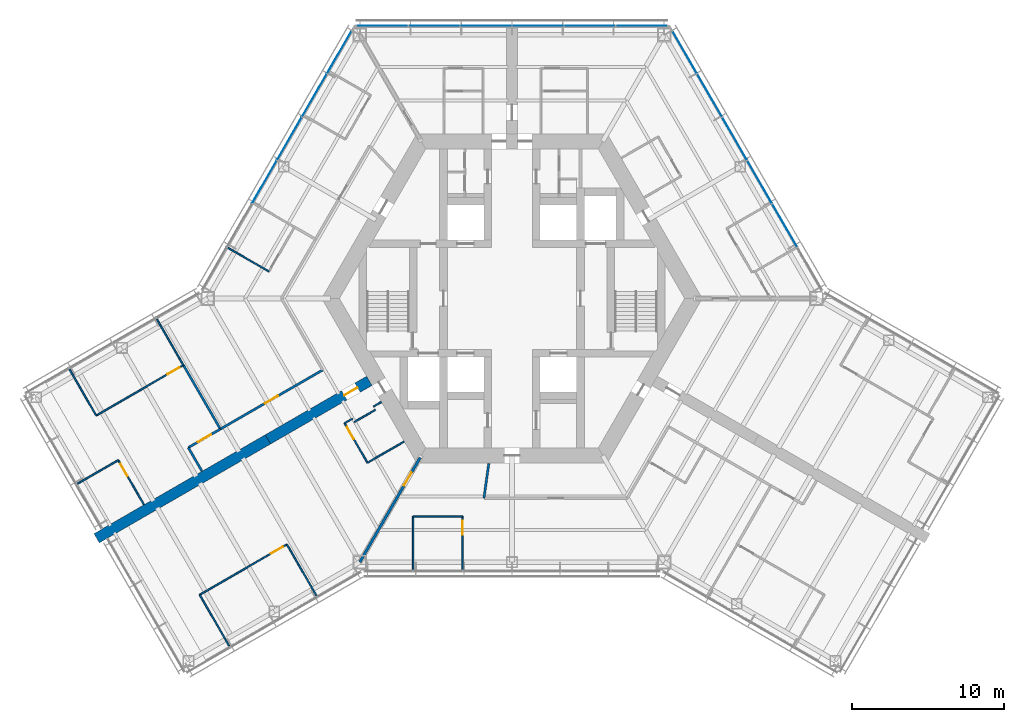
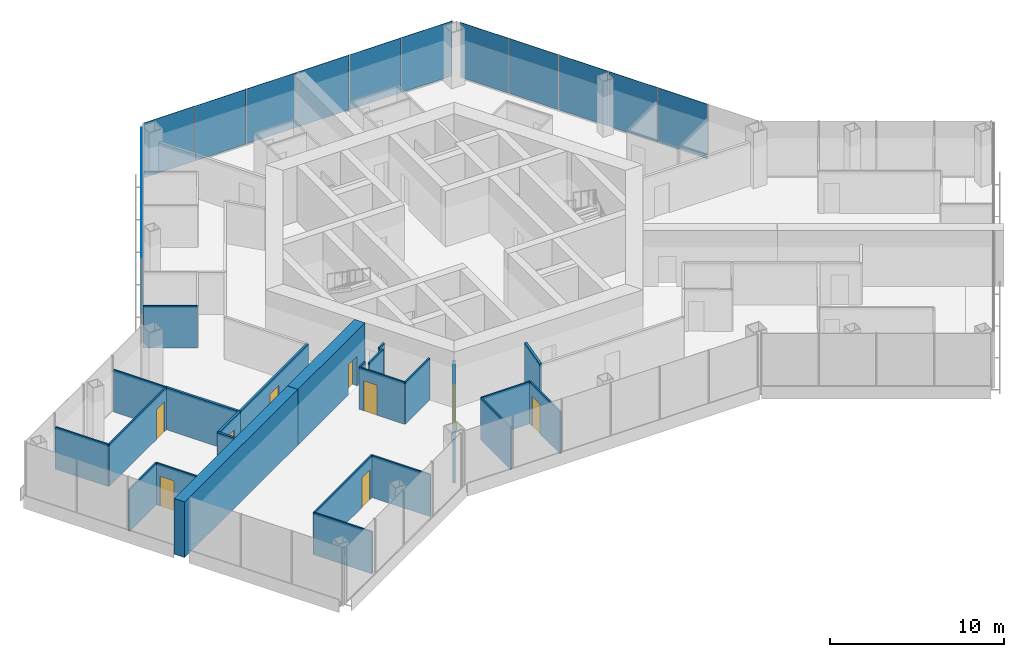
# One storey, part 11 of 18: 25 walls, 15 plates, 9 doors, 9 openings, 3 elements without a shape of their own.
"""IFC4 building model written with IfcOpenShell, lengths in metres."""

from ifc_helpers import new_model, si_unit, direction, frame, frame_2d, origin, origin_2d, place, context, subcontext, project, spatial, rectangle, extrude, material, layer, layer_set, type_object, element, fill, aggregate, save


model = new_model("IFC4")

# Units and contexts
model_context = context("Model", 3, precision=1e-05, world=origin(), true_north=direction((0.0, 1.0)))
body_context = subcontext(model_context, "Body", "Model", "MODEL_VIEW")
ifc_project = project(units=[si_unit("LENGTHUNIT", "METRE"), si_unit("AREAUNIT", "SQUARE_METRE"), si_unit("VOLUMEUNIT", "CUBIC_METRE"), si_unit("PLANEANGLEUNIT", "RADIAN"), si_unit("MASSUNIT", "GRAM", prefix="KILO")], contexts=[model_context])

# Site, building, storey
site_placement = place(None, origin())
site = spatial("IfcSite", under=ifc_project, at=site_placement, CompositionType="ELEMENT")
building_placement = place(site_placement, origin())
building = spatial("IfcBuilding", under=site, at=building_placement, Name="Kasaneha Research Tower", CompositionType="ELEMENT")
storey_placement = place(building_placement, frame((0.0, 0.0, 133.10009765625)))
storey = spatial("IfcBuildingStorey", under=building, at=storey_placement, Name="L33", CompositionType="ELEMENT", Elevation=133.10009765625)

# Curtain wall, plates
ifc_material_1 = material(Name="Glass and aluminium", Category="aluminium")
curtain_wall_type = type_object("IfcCurtainWallType", Name="Mid-rise office curtain wall", PredefinedType="USERDEFINED", material=ifc_material_1)
curtain_wall_1_placement = place(storey_placement, origin())
curtain_wall_1 = element("IfcCurtainWall", 1, at=curtain_wall_1_placement, inside=storey, type_object=curtain_wall_type, Name="CW-O2 L33 run 06a", ObjectType="UNITISED CURTAIN WALL", PredefinedType="USERDEFINED")
ifc_material_2 = material(Name="Laminated double glazing", Category="glass")
ifc_layer_1 = layer(ifc_material_2, 0.02587890625)
ifc_layer_set_1 = layer_set([ifc_layer_1], Name="CW-O2 glazed panel")
plate_type = type_object("IfcPlateType", Name="CW-O2 glazed panel", PredefinedType="CURTAIN_PANEL", material=ifc_layer_set_1)
plate_1_placement = place(storey_placement, frame((17.923095703125, 4.797119140625, 0.06005859375), z_axis=(0.0, 0.0, 1.0), x_axis=(-0.499999979232, 0.866025415775, 0.0)))
plate_1 = element("IfcPlate", 2, at=plate_1_placement, type_object=plate_type, Name="CW-O2 panel 2", PredefinedType="CURTAIN_PANEL", context=body_context, shape_type="SweptSolid", body=[
    extrude(rectangle(XDim=3.22802734375, YDim=0.02587890625, at=origin_2d()), origin(), (0.0, 0.0, 1.0), 3.840087890625),
])
plate_2_placement = place(storey_placement, frame((16.279052734375, 7.644775390625, 0.06005859375), z_axis=(0.0, 0.0, 1.0), x_axis=(-0.499999979232, 0.866025415775, 0.0)))
plate_2 = element("IfcPlate", 3, at=plate_2_placement, type_object=plate_type, Name="CW-O2 panel 3", PredefinedType="CURTAIN_PANEL", context=body_context, shape_type="SweptSolid", body=[
    extrude(rectangle(XDim=3.22802734375, YDim=0.02587890625, at=origin_2d()), origin(), (0.0, 0.0, 1.0), 3.840087890625),
])
plate_3_placement = place(storey_placement, frame((14.635009765625, 10.492431640625, 0.06005859375), z_axis=(0.0, 0.0, 1.0), x_axis=(-0.499999979232, 0.866025415775, 0.0)))
plate_3 = element("IfcPlate", 4, at=plate_3_placement, type_object=plate_type, Name="CW-O2 panel 4", PredefinedType="CURTAIN_PANEL", context=body_context, shape_type="SweptSolid", body=[
    extrude(rectangle(XDim=3.22802734375, YDim=0.02587890625, at=origin_2d()), origin(), (0.0, 0.0, 1.0), 3.840087890625),
])
plate_4_placement = place(storey_placement, frame((12.990966796875, 13.33984375, 0.06005859375), z_axis=(0.0, 0.0, 1.0), x_axis=(-0.499999979232, 0.866025415775, 0.0)))
plate_4 = element("IfcPlate", 5, at=plate_4_placement, type_object=plate_type, Name="CW-O2 panel 5", PredefinedType="CURTAIN_PANEL", context=body_context, shape_type="SweptSolid", body=[
    extrude(rectangle(XDim=3.22802734375, YDim=0.02587890625, at=origin_2d()), origin(), (0.0, 0.0, 1.0), 3.840087890625),
])
plate_5_placement = place(storey_placement, frame((11.3544921875, 16.174560546875, 0.06005859375), z_axis=(0.0, 0.0, 1.0), x_axis=(-0.499999979232, 0.866025415775, 0.0)))
plate_5 = element("IfcPlate", 6, at=plate_5_placement, type_object=plate_type, Name="CW-O2 panel 6", PredefinedType="CURTAIN_PANEL", context=body_context, shape_type="SweptSolid", body=[
    extrude(rectangle(XDim=3.197998046875, YDim=0.02587890625, at=origin_2d()), origin(), (0.0, 0.0, 1.0), 3.840087890625),
])
aggregate(curtain_wall_1, [plate_1, plate_2, plate_3, plate_4, plate_5])

curtain_wall_2_placement = place(storey_placement, origin())
curtain_wall_2 = element("IfcCurtainWall", 7, at=curtain_wall_2_placement, inside=storey, type_object=curtain_wall_type, Name="CW-O2 L33 run 07a", ObjectType="UNITISED CURTAIN WALL", PredefinedType="USERDEFINED")
plate_6_placement = place(storey_placement, frame((8.523681640625, 17.92041015625, 0.06005859375), z_axis=(0.0, 0.0, 1.0), x_axis=(-1.0, 0.0, 0.0)))
plate_6 = element("IfcPlate", 8, at=plate_6_placement, type_object=plate_type, Name="CW-O2 panel 1", PredefinedType="CURTAIN_PANEL", context=body_context, shape_type="SweptSolid", body=[
    extrude(rectangle(XDim=3.325439453125, YDim=0.02587890625, at=origin_2d()), origin(), (0.0, 0.0, 1.0), 3.840087890625),
])
plate_7_placement = place(storey_placement, frame((5.123291015625, 17.92041015625, 0.06005859375), z_axis=(0.0, 0.0, 1.0), x_axis=(-1.0, 0.0, 0.0)))
plate_7 = element("IfcPlate", 9, at=plate_7_placement, type_object=plate_type, Name="CW-O2 panel 2", PredefinedType="CURTAIN_PANEL", context=body_context, shape_type="SweptSolid", body=[
    extrude(rectangle(XDim=3.35546875, YDim=0.02587890625, at=origin_2d()), origin(), (0.0, 0.0, 1.0), 3.840087890625),
])
plate_8_placement = place(storey_placement, frame((1.707763671875, 17.92041015625, 0.06005859375), z_axis=(0.0, 0.0, 1.0), x_axis=(-1.0, 0.0, 0.0)))
plate_8 = element("IfcPlate", 10, at=plate_8_placement, type_object=plate_type, Name="CW-O2 panel 3", PredefinedType="CURTAIN_PANEL", context=body_context, shape_type="SweptSolid", body=[
    extrude(rectangle(XDim=3.35546875, YDim=0.02587890625, at=origin_2d()), origin(), (0.0, 0.0, 1.0), 3.840087890625),
])
plate_9_placement = place(storey_placement, frame((-1.707763671875, 17.92041015625, 0.06005859375), z_axis=(0.0, 0.0, 1.0), x_axis=(-1.0, 0.0, 0.0)))
plate_9 = element("IfcPlate", 11, at=plate_9_placement, type_object=plate_type, Name="CW-O2 panel 4", PredefinedType="CURTAIN_PANEL", context=body_context, shape_type="SweptSolid", body=[
    extrude(rectangle(XDim=3.35546875, YDim=0.02587890625, at=origin_2d()), origin(), (0.0, 0.0, 1.0), 3.840087890625),
])
plate_10_placement = place(storey_placement, frame((-5.123291015625, 17.92041015625, 0.06005859375), z_axis=(0.0, 0.0, 1.0), x_axis=(-1.0, 0.0, 0.0)))
plate_10 = element("IfcPlate", 12, at=plate_10_placement, type_object=plate_type, Name="CW-O2 panel 5", PredefinedType="CURTAIN_PANEL", context=body_context, shape_type="SweptSolid", body=[
    extrude(rectangle(XDim=3.35546875, YDim=0.02587890625, at=origin_2d()), origin(), (0.0, 0.0, 1.0), 3.840087890625),
])
plate_11_placement = place(storey_placement, frame((-8.523681640625, 17.92041015625, 0.06005859375), z_axis=(0.0, 0.0, 1.0), x_axis=(-1.0, 0.0, 0.0)))
plate_11 = element("IfcPlate", 13, at=plate_11_placement, type_object=plate_type, Name="CW-O2 panel 6", PredefinedType="CURTAIN_PANEL", context=body_context, shape_type="SweptSolid", body=[
    extrude(rectangle(XDim=3.325439453125, YDim=0.02587890625, at=origin_2d()), origin(), (0.0, 0.0, 1.0), 3.840087890625),
])
aggregate(curtain_wall_2, [plate_6, plate_7, plate_8, plate_9, plate_10, plate_11])

curtain_wall_3_placement = place(storey_placement, origin())
curtain_wall_3 = element("IfcCurtainWall", 14, at=curtain_wall_3_placement, inside=storey, type_object=curtain_wall_type, Name="CW-O2 L33 run 08a", ObjectType="UNITISED CURTAIN WALL", PredefinedType="USERDEFINED")
plate_12_placement = place(storey_placement, frame((-11.3544921875, 16.174560546875, 0.06005859375), z_axis=(0.0, 0.0, 1.0), x_axis=(-0.499999979232, -0.866025415775, 0.0)))
plate_12 = element("IfcPlate", 15, at=plate_12_placement, type_object=plate_type, Name="CW-O2 panel 1", PredefinedType="CURTAIN_PANEL", context=body_context, shape_type="SweptSolid", body=[
    extrude(rectangle(XDim=3.197998046875, YDim=0.02587890625, at=origin_2d()), origin(), (0.0, 0.0, 1.0), 3.840087890625),
])
plate_13_placement = place(storey_placement, frame((-12.990966796875, 13.33984375, 0.06005859375), z_axis=(0.0, 0.0, 1.0), x_axis=(-0.499999979232, -0.866025415775, 0.0)))
plate_13 = element("IfcPlate", 16, at=plate_13_placement, type_object=plate_type, Name="CW-O2 panel 2", PredefinedType="CURTAIN_PANEL", context=body_context, shape_type="SweptSolid", body=[
    extrude(rectangle(XDim=3.22802734375, YDim=0.02587890625, at=origin_2d()), origin(), (0.0, 0.0, 1.0), 3.840087890625),
])
plate_14_placement = place(storey_placement, frame((-14.635009765625, 10.492431640625, 0.06005859375), z_axis=(0.0, 0.0, 1.0), x_axis=(-0.499999979232, -0.866025415775, 0.0)))
plate_14 = element("IfcPlate", 17, at=plate_14_placement, type_object=plate_type, Name="CW-O2 panel 3", PredefinedType="CURTAIN_PANEL", context=body_context, shape_type="SweptSolid", body=[
    extrude(rectangle(XDim=3.22802734375, YDim=0.02587890625, at=origin_2d()), origin(), (0.0, 0.0, 1.0), 3.840087890625),
])
plate_15_placement = place(storey_placement, frame((-16.279052734375, 7.644775390625, 0.06005859375), z_axis=(0.0, 0.0, 1.0), x_axis=(-0.499999979232, -0.866025415775, 0.0)))
plate_15 = element("IfcPlate", 18, at=plate_15_placement, type_object=plate_type, Name="CW-O2 panel 4", PredefinedType="CURTAIN_PANEL", context=body_context, shape_type="SweptSolid", body=[
    extrude(rectangle(XDim=3.22802734375, YDim=0.02587890625, at=origin_2d()), origin(), (0.0, 0.0, 1.0), 3.840087890625),
])
aggregate(curtain_wall_3, [plate_12, plate_13, plate_14, plate_15])

# Walls
ifc_material_3 = material(Name="Gypsum board on steel studs, one layer each side", Category="steel")
ifc_layer_2 = layer(ifc_material_3, 0.10009765625)
ifc_layer_set_2 = layer_set([ifc_layer_2], Name="Office partition 100")
wall_type_1 = type_object("IfcWallType", Name="Office partition 100", PredefinedType="PARTITIONING", material=ifc_layer_set_2)
wall_1_placement = place(storey_placement, frame((-23.332275390625, -1.36962890625, 0.0), z_axis=(0.0, 0.0, 1.0), x_axis=(0.498863855434, -0.86668036423, 0.0)))
element("IfcWall", 19, at=wall_1_placement, inside=storey, type_object=wall_type_1, Name="Office partition FBN08 L33", PredefinedType="PARTITIONING", context=body_context, shape_type="SweptSolid", body=[
    extrude(rectangle(XDim=3.47998046875, YDim=0.10009765625, at=frame_2d((1.739990234375, 0.0))), origin(), (0.0, 0.0, 1.0), 2.949951171875),
])
wall_2_placement = place(storey_placement, frame((-27.324951171875, -7.693115234375, 0.0), z_axis=(0.0, 0.0, 1.0), x_axis=(-0.499989765943, 0.866031312339, 0.0)))
element("IfcWall", 20, at=wall_2_placement, inside=storey, type_object=wall_type_1, Name="Office partition FBN09 L33", PredefinedType="PARTITIONING", context=body_context, shape_type="SweptSolid", body=[
    extrude(rectangle(XDim=3.5048828125, YDim=0.10009765625, at=frame_2d((1.75244140625, 0.0))), origin(), (0.0, 0.0, 1.0), 2.949951171875),
])

# Wall, opening, door
wall_3_placement = place(storey_placement, frame((-21.594482421875, -4.37939453125, 0.0), z_axis=(0.0, 0.0, 1.0), x_axis=(-0.865682888643, -0.500592784916, 0.0)))
wall_3 = element("IfcWall", 21, at=wall_3_placement, inside=storey, type_object=wall_type_1, Name="Office partition FBN10 L33", PredefinedType="PARTITIONING", context=body_context, shape_type="SweptSolid", body=[
    extrude(rectangle(XDim=6.61962890625, YDim=0.10009765625, at=frame_2d((3.309814453125, 0.0))), origin(), (0.0, 0.0, 1.0), 2.949951171875),
])
opening_1_placement = place(wall_3_placement, frame((0.300048828125, 0.0, 0.0)))
opening_1 = element("IfcOpeningElement", 22, at=opening_1_placement, cuts=wall_3, Name="Opening L33-D37", PredefinedType="OPENING", context=body_context, shape_type="SweptSolid", body=[
    extrude(rectangle(XDim=0.89990234375, YDim=2.10009765625, at=frame_2d((0.449951171875, 1.050048828125))), frame((0.0, 0.06005859375, 0.0), z_axis=(0.0, -1.0, 0.0), x_axis=(1.0, 0.0, 0.0)), (0.0, 0.0, 1.0), 0.1201171875),
])
ifc_material_4 = material(Name="Timber veneer", Category="wood")
door_type_1 = type_object("IfcDoorType", Name="Office door 900x2100", OperationType="SINGLE_SWING_LEFT", PredefinedType="DOOR", material=ifc_material_4)
door_1_placement = place(opening_1_placement, origin())
door_1 = element("IfcDoor", 23, at=door_1_placement, inside=storey, type_object=door_type_1, Name="Project room door L33-D37", OperationType="SINGLE_SWING_LEFT", OverallHeight=2.10009765625, OverallWidth=0.89990234375, PredefinedType="DOOR", context=body_context, shape_type="SweptSolid", body=[
    extrude(rectangle(XDim=0.89990234375, YDim=2.10009765625, at=frame_2d((0.449951171875, 1.050048828125))), frame((0.0, 0.02490234375, 0.0), z_axis=(0.0, -1.0, 0.0), x_axis=(1.0, 0.0, 0.0)), (0.0, 0.0, 1.0), 0.050048828125),
])
fill(opening_1, door_1)

# Walls
wall_4_placement = place(storey_placement, frame((-15.973876953125, 1.7734375, 0.0), z_axis=(0.0, 0.0, 1.0), x_axis=(-0.866032025414, 0.499988530825, 0.0)))
element("IfcWall", 24, at=wall_4_placement, inside=storey, type_object=wall_type_1, Name="Office partition FBN14 L33", PredefinedType="PARTITIONING", context=body_context, shape_type="SweptSolid", body=[
    extrude(rectangle(XDim=3.1240234375, YDim=0.10009765625, at=frame_2d((1.56201171875, 0.0))), origin(), (0.0, 0.0, 1.0), 2.949951171875),
])
wall_5_placement = place(storey_placement, frame((-28.5625, -12.1796875, 0.0), z_axis=(0.0, 0.0, 1.0), x_axis=(0.866042875753, 0.499969736442, 0.0)))
element("IfcWall", 25, at=wall_5_placement, inside=storey, type_object=wall_type_1, Name="Office partition FBN17 L33", PredefinedType="PARTITIONING", context=body_context, shape_type="SweptSolid", body=[
    extrude(rectangle(XDim=3.105224609375, YDim=0.10009765625, at=frame_2d((1.552734375, 0.0))), origin(), (0.0, 0.0, 1.0), 2.949951171875),
])

# Wall, opening, door
wall_6_placement = place(storey_placement, frame((-25.873291015625, -10.627197265625, 0.0), z_axis=(0.0, 0.0, 1.0), x_axis=(0.5000115033, -0.866018762249, 0.0)))
wall_6 = element("IfcWall", 26, at=wall_6_placement, inside=storey, type_object=wall_type_1, Name="Office partition FBN18 L33", PredefinedType="PARTITIONING", context=body_context, shape_type="SweptSolid", body=[
    extrude(rectangle(XDim=3.36328125, YDim=0.10009765625, at=frame_2d((1.681640625, 0.0))), origin(), (0.0, 0.0, 1.0), 2.949951171875),
])
opening_2_placement = place(wall_6_placement, frame((0.300048828125, 0.0, 0.0)))
opening_2 = element("IfcOpeningElement", 27, at=opening_2_placement, cuts=wall_6, Name="Opening L33-D40", PredefinedType="OPENING", context=body_context, shape_type="SweptSolid", body=[
    extrude(rectangle(XDim=0.89990234375, YDim=2.10009765625, at=frame_2d((0.449951171875, 1.050048828125))), frame((0.0, 0.06005859375, 0.0), z_axis=(0.0, -1.0, 0.0), x_axis=(1.0, 0.0, 0.0)), (0.0, 0.0, 1.0), 0.1201171875),
])
door_2_placement = place(opening_2_placement, origin())
door_2 = element("IfcDoor", 28, at=door_2_placement, inside=storey, type_object=door_type_1, Name="Phone room door L33-D40", OperationType="SINGLE_SWING_LEFT", OverallHeight=2.10009765625, OverallWidth=0.89990234375, PredefinedType="DOOR", context=body_context, shape_type="SweptSolid", body=[
    extrude(rectangle(XDim=0.89990234375, YDim=2.10009765625, at=frame_2d((0.449951171875, 1.050048828125))), frame((0.0, 0.02490234375, 0.0), z_axis=(0.0, -1.0, 0.0), x_axis=(1.0, 0.0, 0.0)), (0.0, 0.0, 1.0), 0.050048828125),
])
fill(opening_2, door_2)

wall_7_placement = place(storey_placement, frame((-20.52490234375, -19.47119140625, 0.0), z_axis=(0.0, 0.0, 1.0), x_axis=(0.866021597574, 0.500006592492, 0.0)))
wall_7 = element("IfcWall", 29, at=wall_7_placement, inside=storey, type_object=wall_type_1, Name="Office partition FBS01 L33", PredefinedType="PARTITIONING", context=body_context, shape_type="SweptSolid", body=[
    extrude(rectangle(XDim=6.61962890625, YDim=0.10009765625, at=frame_2d((3.309814453125, 0.0))), origin(), (0.0, 0.0, 1.0), 2.949951171875),
])
opening_3_placement = place(wall_7_placement, frame((5.419677734375, 0.0, 0.0)))
opening_3 = element("IfcOpeningElement", 30, at=opening_3_placement, cuts=wall_7, Name="Opening L33-D41", PredefinedType="OPENING", context=body_context, shape_type="SweptSolid", body=[
    extrude(rectangle(XDim=0.89990234375, YDim=2.10009765625, at=frame_2d((0.449951171875, 1.050048828125))), frame((0.0, 0.06005859375, 0.0), z_axis=(0.0, -1.0, 0.0), x_axis=(1.0, 0.0, 0.0)), (0.0, 0.0, 1.0), 0.1201171875),
])
door_3_placement = place(opening_3_placement, origin())
door_3 = element("IfcDoor", 31, at=door_3_placement, inside=storey, type_object=door_type_1, Name="Project room door L33-D41", OperationType="SINGLE_SWING_RIGHT", OverallHeight=2.10009765625, OverallWidth=0.89990234375, PredefinedType="DOOR", context=body_context, shape_type="SweptSolid", body=[
    extrude(rectangle(XDim=0.89990234375, YDim=2.10009765625, at=frame_2d((0.449951171875, 1.050048828125))), frame((0.0, 0.02490234375, 0.0), z_axis=(0.0, -1.0, 0.0), x_axis=(1.0, 0.0, 0.0)), (0.0, 0.0, 1.0), 0.050048828125),
])
fill(opening_3, door_3)

# Walls
wall_8_placement = place(storey_placement, frame((-18.5849609375, -22.831298828125, 0.0), z_axis=(0.0, 0.0, 1.0), x_axis=(-0.499996613652, 0.866027358884, 0.0)))
element("IfcWall", 32, at=wall_8_placement, inside=storey, type_object=wall_type_1, Name="Office partition FBS02 L33", PredefinedType="PARTITIONING", context=body_context, shape_type="SweptSolid", body=[
    extrude(rectangle(XDim=3.8798828125, YDim=0.10009765625, at=frame_2d((1.93994140625, 0.0))), origin(), (0.0, 0.0, 1.0), 2.949951171875),
])
wall_9_placement = place(storey_placement, frame((-14.792236328125, -16.161376953125, 0.0), z_axis=(0.0, 0.0, 1.0), x_axis=(0.500025510799, -0.866010674617, 0.0)))
element("IfcWall", 33, at=wall_9_placement, inside=storey, type_object=wall_type_1, Name="Office partition FBS03 L33", PredefinedType="PARTITIONING", context=body_context, shape_type="SweptSolid", body=[
    extrude(rectangle(XDim=3.905029296875, YDim=0.10009765625, at=frame_2d((1.95263671875, 0.0))), origin(), (0.0, 0.0, 1.0), 2.949951171875),
])
wall_10_placement = place(storey_placement, frame((-10.99951171875, -8.197998046875, 0.0), z_axis=(0.0, 0.0, 1.0), x_axis=(0.866131372301, 0.499816412211, 0.0)))
element("IfcWall", 34, at=wall_10_placement, inside=storey, type_object=wall_type_1, Name="Office partition FBS04 L33", PredefinedType="PARTITIONING", context=body_context, shape_type="SweptSolid", body=[
    extrude(rectangle(XDim=0.599853515625, YDim=0.10009765625, at=frame_2d((0.2998046875, 0.0))), origin(), (0.0, 0.0, 1.0), 2.949951171875),
])
wall_11_placement = place(storey_placement, frame((-10.35498046875, -8.114501953125, 0.0), z_axis=(0.0, 0.0, 1.0), x_axis=(0.866094119867, 0.499880961361, 0.0)))
element("IfcWall", 35, at=wall_11_placement, inside=storey, type_object=wall_type_1, Name="Office partition FBS05 L33", PredefinedType="PARTITIONING", context=body_context, shape_type="SweptSolid", body=[
    extrude(rectangle(XDim=1.60009765625, YDim=0.10009765625, at=frame_2d((0.800048828125, 0.0))), origin(), (0.0, 0.0, 1.0), 2.949951171875),
])

# Wall, opening, door
wall_12_placement = place(storey_placement, frame((-9.49951171875, -10.796142578125, 0.0), z_axis=(0.0, 0.0, 1.0), x_axis=(-0.499990139034, 0.866031096941, 0.0)))
wall_12 = element("IfcWall", 36, at=wall_12_placement, inside=storey, type_object=wall_type_1, Name="Office partition FBS06 L33", PredefinedType="PARTITIONING", context=body_context, shape_type="SweptSolid", body=[
    extrude(rectangle(XDim=3.0, YDim=0.10009765625, at=frame_2d((1.5, 0.0))), origin(), (0.0, 0.0, 1.0), 2.949951171875),
])
opening_4_placement = place(wall_12_placement, frame((1.800048828125, 0.0, 0.0)))
opening_4 = element("IfcOpeningElement", 37, at=opening_4_placement, cuts=wall_12, Name="Opening L33-D42", PredefinedType="OPENING", context=body_context, shape_type="SweptSolid", body=[
    extrude(rectangle(XDim=0.89990234375, YDim=2.10009765625, at=frame_2d((0.449951171875, 1.050048828125))), frame((0.0, 0.06005859375, 0.0), z_axis=(0.0, -1.0, 0.0), x_axis=(1.0, 0.0, 0.0)), (0.0, 0.0, 1.0), 0.1201171875),
])
door_4_placement = place(opening_4_placement, origin())
door_4 = element("IfcDoor", 38, at=door_4_placement, inside=storey, type_object=door_type_1, Name="Pantry door L33-D42", OperationType="SINGLE_SWING_RIGHT", OverallHeight=2.10009765625, OverallWidth=0.89990234375, PredefinedType="DOOR", context=body_context, shape_type="SweptSolid", body=[
    extrude(rectangle(XDim=0.89990234375, YDim=2.10009765625, at=frame_2d((0.449951171875, 1.050048828125))), frame((0.0, 0.02490234375, 0.0), z_axis=(0.0, -1.0, 0.0), x_axis=(1.0, 0.0, 0.0)), (0.0, 0.0, 1.0), 0.050048828125),
])
fill(opening_4, door_4)

# Walls
wall_13_placement = place(storey_placement, frame((-9.09423828125, -7.09814453125, 0.0), z_axis=(0.0, 0.0, 1.0), x_axis=(0.865954211699, 0.50012328804, 0.0)))
element("IfcWall", 39, at=wall_13_placement, inside=storey, type_object=wall_type_1, Name="Office partition FBS07 L33", PredefinedType="PARTITIONING", context=body_context, shape_type="SweptSolid", body=[
    extrude(rectangle(XDim=0.579833984375, YDim=0.10009765625, at=frame_2d((0.2900390625, 0.0))), origin(), (0.0, 0.0, 1.0), 2.949951171875),
])
wall_14_placement = place(storey_placement, frame((-7.092041015625, -9.40625, 0.0), z_axis=(0.0, 0.0, 1.0), x_axis=(-0.86603494908, -0.499983466698, 0.0)))
element("IfcWall", 40, at=wall_14_placement, inside=storey, type_object=wall_type_1, Name="Office partition FBS08 L33", PredefinedType="PARTITIONING", context=body_context, shape_type="SweptSolid", body=[
    extrude(rectangle(XDim=2.77978515625, YDim=0.10009765625, at=frame_2d((1.389892578125, 0.0))), origin(), (0.0, 0.0, 1.0), 2.949951171875),
])
wall_15_placement = place(storey_placement, frame((-6.492919921875, -17.800537109375, 0.0), z_axis=(0.0, 0.0, 1.0), x_axis=(0.0, 1.0, 0.0)))
element("IfcWall", 41, at=wall_15_placement, inside=storey, type_object=wall_type_1, Name="Office partition FCS11 L33", PredefinedType="PARTITIONING", context=body_context, shape_type="SweptSolid", body=[
    extrude(rectangle(XDim=3.47998046875, YDim=0.10009765625, at=frame_2d((1.739990234375, 0.0))), origin(), (0.0, 0.0, 1.0), 2.949951171875),
])
wall_16_placement = place(storey_placement, frame((-6.492919921875, -14.320556640625, 0.0), z_axis=(0.0, 0.0, 1.0), x_axis=(1.0, 0.0, 0.0)))
element("IfcWall", 42, at=wall_16_placement, inside=storey, type_object=wall_type_1, Name="Office partition FCS12 L33", PredefinedType="PARTITIONING", context=body_context, shape_type="SweptSolid", body=[
    extrude(rectangle(XDim=3.24658203125, YDim=0.10009765625, at=frame_2d((1.623291015625, 0.0))), origin(), (0.0, 0.0, 1.0), 2.949951171875),
])

# Wall, opening, door
wall_17_placement = place(storey_placement, frame((-3.246337890625, -14.320556640625, 0.0), z_axis=(0.0, 0.0, 1.0), x_axis=(0.0, -1.0, 0.0)))
wall_17 = element("IfcWall", 43, at=wall_17_placement, inside=storey, type_object=wall_type_1, Name="Office partition FCS13 L33", PredefinedType="PARTITIONING", context=body_context, shape_type="SweptSolid", body=[
    extrude(rectangle(XDim=3.530029296875, YDim=0.10009765625, at=frame_2d((1.76513671875, 0.0))), origin(), (0.0, 0.0, 1.0), 2.949951171875),
])
opening_5_placement = place(wall_17_placement, frame((0.300048828125, 0.0, 0.0)))
opening_5 = element("IfcOpeningElement", 44, at=opening_5_placement, cuts=wall_17, Name="Opening L33-D48", PredefinedType="OPENING", context=body_context, shape_type="SweptSolid", body=[
    extrude(rectangle(XDim=0.89990234375, YDim=2.10009765625, at=frame_2d((0.449951171875, 1.050048828125))), frame((0.0, 0.06005859375, 0.0), z_axis=(0.0, -1.0, 0.0), x_axis=(1.0, 0.0, 0.0)), (0.0, 0.0, 1.0), 0.1201171875),
])
door_5_placement = place(opening_5_placement, origin())
door_5 = element("IfcDoor", 45, at=door_5_placement, inside=storey, type_object=door_type_1, Name="Manager's office door L33-D48", OperationType="SINGLE_SWING_LEFT", OverallHeight=2.10009765625, OverallWidth=0.89990234375, PredefinedType="DOOR", context=body_context, shape_type="SweptSolid", body=[
    extrude(rectangle(XDim=0.89990234375, YDim=2.10009765625, at=frame_2d((0.449951171875, 1.050048828125))), frame((0.0, 0.02490234375, 0.0), z_axis=(0.0, -1.0, 0.0), x_axis=(1.0, 0.0, 0.0)), (0.0, 0.0, 1.0), 0.050048828125),
])
fill(opening_5, door_5)

ifc_material_5 = material(Name="Concrete Fc70", Category="concrete")
ifc_layer_3 = layer(ifc_material_5, 0.699951171875)
ifc_layer_set_3 = layer_set([ifc_layer_3], Name="Spine wall 700 Fc70")
wall_type_2 = type_object("IfcWallType", Name="Spine wall 700 Fc70", PredefinedType="SHEAR", material=ifc_layer_set_3)
wall_18_placement = place(storey_placement, frame((-9.374755859375, -5.41259765625, 0.0), z_axis=(0.0, 0.0, 1.0), x_axis=(-0.866032377459, -0.499987921047, 0.0)))
wall_18 = element("IfcWall", 46, at=wall_18_placement, inside=storey, type_object=wall_type_2, Name="Spine wall B L33", PredefinedType="SHEAR", context=body_context, shape_type="SweptSolid", body=[
    extrude(rectangle(XDim=7.695556640625, YDim=0.699951171875, at=frame_2d((3.84765625, 0.0))), origin(), (0.0, 0.0, 1.0), 3.89990234375),
])
opening_6_placement = place(wall_18_placement, frame((0.89990234375, 0.0, 0.0)))
opening_6 = element("IfcOpeningElement", 47, at=opening_6_placement, cuts=wall_18, Name="Opening L33-D18", PredefinedType="OPENING", context=body_context, shape_type="SweptSolid", body=[
    extrude(rectangle(XDim=1.0, YDim=2.10009765625, at=frame_2d((0.5, 1.050048828125))), frame((0.0, 0.35986328125, 0.0), z_axis=(0.0, -1.0, 0.0), x_axis=(1.0, 0.0, 0.0)), (0.0, 0.0, 1.0), 0.719970703125),
])
ifc_material_6 = material(Name="Steel", Category="steel")
door_type_2 = type_object("IfcDoorType", Name="Specified fire door FD60 1000x2100", OperationType="NOTDEFINED", PredefinedType="DOOR", material=ifc_material_6)
door_6_placement = place(opening_6_placement, origin())
door_6 = element("IfcDoor", 48, at=door_6_placement, inside=storey, type_object=door_type_2, Name="Spine doorway B L33-D18", OperationType="SINGLE_SWING_LEFT", OverallHeight=2.10009765625, OverallWidth=1.0, PredefinedType="DOOR", context=body_context, shape_type="SweptSolid", body=[
    extrude(rectangle(XDim=1.0, YDim=2.10009765625, at=frame_2d((0.5, 1.050048828125))), frame((0.0, 0.02490234375, 0.0), z_axis=(0.0, -1.0, 0.0), x_axis=(1.0, 0.0, 0.0)), (0.0, 0.0, 1.0), 0.050048828125),
])
fill(opening_6, door_6)

# Wall
wall_19_placement = place(storey_placement, frame((-16.039306640625, -9.26025390625, 0.0), z_axis=(0.0, 0.0, 1.0), x_axis=(-0.866024837091, -0.50000098154, 0.0)))
element("IfcWall", 49, at=wall_19_placement, inside=storey, type_object=wall_type_2, Name="Spine wall B wing L33", PredefinedType="SHEAR", context=body_context, shape_type="SweptSolid", body=[
    extrude(rectangle(XDim=13.0, YDim=0.699951171875, at=frame_2d((6.5, 0.0))), origin(), (0.0, 0.0, 1.0), 3.89990234375),
])

# Wall, opening, door
ifc_material_7 = material(Name="Gypsum board on steel studs, two layers each side", Category="steel")
ifc_layer_4 = layer(ifc_material_7, 0.14990234375)
ifc_layer_set_4 = layer_set([ifc_layer_4], Name="Suite partition 150")
wall_type_3 = type_object("IfcWallType", Name="Suite partition 150", PredefinedType="PARTITIONING", material=ifc_layer_set_4)
wall_20_placement = place(storey_placement, frame((-19.17138671875, -8.586181640625, 0.0), z_axis=(0.0, 0.0, 1.0), x_axis=(0.866007176269, 0.500031569654, 0.0)))
wall_20 = element("IfcWall", 50, at=wall_20_placement, inside=storey, type_object=wall_type_3, Name="Suite partition FBN01 L33", PredefinedType="PARTITIONING", context=body_context, shape_type="SweptSolid", body=[
    extrude(rectangle(XDim=7.77099609375, YDim=0.14990234375, at=frame_2d((3.885498046875, 0.0))), origin(), (0.0, 0.0, 1.0), 2.949951171875),
])
opening_7_placement = place(wall_20_placement, frame((3.385498046875, 0.0, 0.0)))
opening_7 = element("IfcOpeningElement", 51, at=opening_7_placement, cuts=wall_20, Name="Opening L33-D34", PredefinedType="OPENING", context=body_context, shape_type="SweptSolid", body=[
    extrude(rectangle(XDim=1.0, YDim=2.10009765625, at=frame_2d((0.5, 1.050048828125))), frame((0.0, 0.0849609375, 0.0), z_axis=(0.0, -1.0, 0.0), x_axis=(1.0, 0.0, 0.0)), (0.0, 0.0, 1.0), 0.169921875),
])
ifc_material_8 = material(Name="Steel", Category="steel")
door_type_3 = type_object("IfcDoorType", Name="Suite entrance door FD60 1000x2100", OperationType="NOTDEFINED", PredefinedType="DOOR", material=ifc_material_8)
door_7_placement = place(opening_7_placement, origin())
door_7 = element("IfcDoor", 52, at=door_7_placement, inside=storey, type_object=door_type_3, Name="Suite entrance door L33-D34", OperationType="SINGLE_SWING_LEFT", OverallHeight=2.10009765625, OverallWidth=1.0, PredefinedType="DOOR", context=body_context, shape_type="SweptSolid", body=[
    extrude(rectangle(XDim=1.0, YDim=2.10009765625, at=frame_2d((0.5, 1.050048828125))), frame((0.0, 0.02490234375, 0.0), z_axis=(0.0, -1.0, 0.0), x_axis=(1.0, 0.0, 0.0)), (0.0, 0.0, 1.0), 0.050048828125),
])
fill(opening_7, door_7)

wall_21_placement = place(storey_placement, frame((-21.271240234375, -9.79833984375, 0.0), z_axis=(0.0, 0.0, 1.0), x_axis=(0.866025270247, 0.500000231294, 0.0)))
wall_21 = element("IfcWall", 53, at=wall_21_placement, inside=storey, type_object=wall_type_3, Name="Suite partition FBN04 L33", PredefinedType="PARTITIONING", context=body_context, shape_type="SweptSolid", body=[
    extrude(rectangle(XDim=2.4345703125, YDim=0.14990234375, at=frame_2d((1.21728515625, 0.0))), origin(), (0.0, 0.0, 1.0), 2.949951171875),
])
opening_8_placement = place(wall_21_placement, frame((0.71728515625, 0.0, 0.0)))
opening_8 = element("IfcOpeningElement", 54, at=opening_8_placement, cuts=wall_21, Name="Opening L33-D35", PredefinedType="OPENING", context=body_context, shape_type="SweptSolid", body=[
    extrude(rectangle(XDim=1.0, YDim=2.10009765625, at=frame_2d((0.5, 1.050048828125))), frame((0.0, 0.0849609375, 0.0), z_axis=(0.0, -1.0, 0.0), x_axis=(1.0, 0.0, 0.0)), (0.0, 0.0, 1.0), 0.169921875),
])
door_8_placement = place(opening_8_placement, origin())
door_8 = element("IfcDoor", 55, at=door_8_placement, inside=storey, type_object=door_type_3, Name="Suite entrance door L33-D35", OperationType="SINGLE_SWING_LEFT", OverallHeight=2.10009765625, OverallWidth=1.0, PredefinedType="DOOR", context=body_context, shape_type="SweptSolid", body=[
    extrude(rectangle(XDim=1.0, YDim=2.10009765625, at=frame_2d((0.5, 1.050048828125))), frame((0.0, 0.02490234375, 0.0), z_axis=(0.0, -1.0, 0.0), x_axis=(1.0, 0.0, 0.0)), (0.0, 0.0, 1.0), 0.050048828125),
])
fill(opening_8, door_8)

# Walls
wall_22_placement = place(storey_placement, frame((-20.381103515625, -11.33984375, 0.0), z_axis=(0.0, 0.0, 1.0), x_axis=(-0.500062787734, 0.865989150234, 0.0)))
element("IfcWall", 56, at=wall_22_placement, inside=storey, type_object=wall_type_3, Name="Suite partition FBN05 L33", PredefinedType="PARTITIONING", context=body_context, shape_type="SweptSolid", body=[
    extrude(rectangle(XDim=1.780029296875, YDim=0.14990234375, at=frame_2d((0.89013671875, 0.0))), origin(), (0.0, 0.0, 1.0), 2.949951171875),
])
wall_23_placement = place(storey_placement, frame((-19.1630859375, -8.580810546875, 0.0), z_axis=(0.0, 0.0, 1.0), x_axis=(-0.500843945189, 0.865537603209, 0.0)))
element("IfcWall", 57, at=wall_23_placement, inside=storey, type_object=wall_type_3, Name="Suite partition FBN19 L33", PredefinedType="PARTITIONING", context=body_context, shape_type="SweptSolid", body=[
    extrude(rectangle(XDim=4.85400390625, YDim=0.14990234375, at=frame_2d((2.427001953125, 0.0))), origin(), (0.0, 0.0, 1.0), 2.949951171875),
])
wall_24_placement = place(storey_placement, frame((-1.844482421875, -13.125, 0.0), z_axis=(0.0, 0.0, 1.0), x_axis=(0.139119980631, 0.990275532864, 0.0)))
element("IfcWall", 58, at=wall_24_placement, inside=storey, type_object=wall_type_3, Name="Suite partition FCS03 L33", PredefinedType="PARTITIONING", context=body_context, shape_type="SweptSolid", body=[
    extrude(rectangle(XDim=2.302490234375, YDim=0.14990234375, at=frame_2d((1.1513671875, 0.0))), origin(), (0.0, 0.0, 1.0), 2.949951171875),
])

# Wall, opening, door
ifc_material_9 = material(Name="Gypsum board on steel studs, two layers each side", Category="steel")
ifc_layer_5 = layer(ifc_material_9, 0.175048828125)
ifc_layer_set_5 = layer_set([ifc_layer_5], Name="Tenancy fire partition 175")
wall_type_4 = type_object("IfcWallType", Name="Tenancy fire partition 175", PredefinedType="PARTITIONING", material=ifc_layer_set_5)
wall_25_placement = place(storey_placement, frame((-6.034912109375, -10.45263671875, 0.0), z_axis=(0.0, 0.0, 1.0), x_axis=(-0.499989830942, -0.866031274813, 0.0)))
wall_25 = element("IfcWall", 59, at=wall_25_placement, inside=storey, type_object=wall_type_4, Name="Tenancy fire partition T240 L33", PredefinedType="PARTITIONING", context=body_context, shape_type="SweptSolid", body=[
    extrude(rectangle(XDim=7.930419921875, YDim=0.175048828125, at=frame_2d((3.96533203125, 0.0))), origin(), (0.0, 0.0, 1.0), 3.0498046875),
])
opening_9_placement = place(wall_25_placement, frame((1.1298828125, 0.0, 0.0)))
opening_9 = element("IfcOpeningElement", 60, at=opening_9_placement, cuts=wall_25, Name="Opening L33-D26", PredefinedType="OPENING", context=body_context, shape_type="SweptSolid", body=[
    extrude(rectangle(XDim=1.0, YDim=2.10009765625, at=frame_2d((0.5, 1.050048828125))), frame((0.0, 0.09765625, 0.0), z_axis=(0.0, -1.0, 0.0), x_axis=(1.0, 0.0, 0.0)), (0.0, 0.0, 1.0), 0.195068359375),
])
door_9_placement = place(opening_9_placement, origin())
door_9 = element("IfcDoor", 61, at=door_9_placement, inside=storey, type_object=door_type_3, Name="Connecting door L33-D26", OperationType="SINGLE_SWING_LEFT", OverallHeight=2.10009765625, OverallWidth=1.0, PredefinedType="DOOR", context=body_context, shape_type="SweptSolid", body=[
    extrude(rectangle(XDim=1.0, YDim=2.10009765625, at=frame_2d((0.5, 1.050048828125))), frame((0.0, 0.02490234375, 0.0), z_axis=(0.0, -1.0, 0.0), x_axis=(1.0, 0.0, 0.0)), (0.0, 0.0, 1.0), 0.050048828125),
])
fill(opening_9, door_9)

save(model, "model.ifc")
